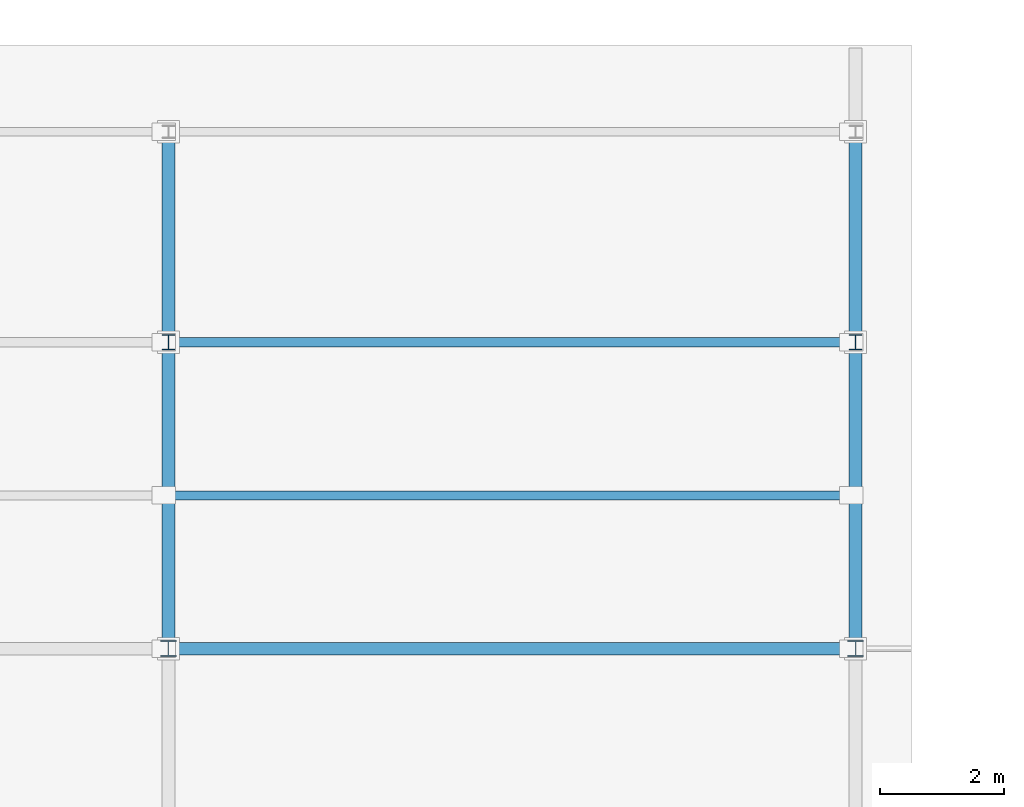
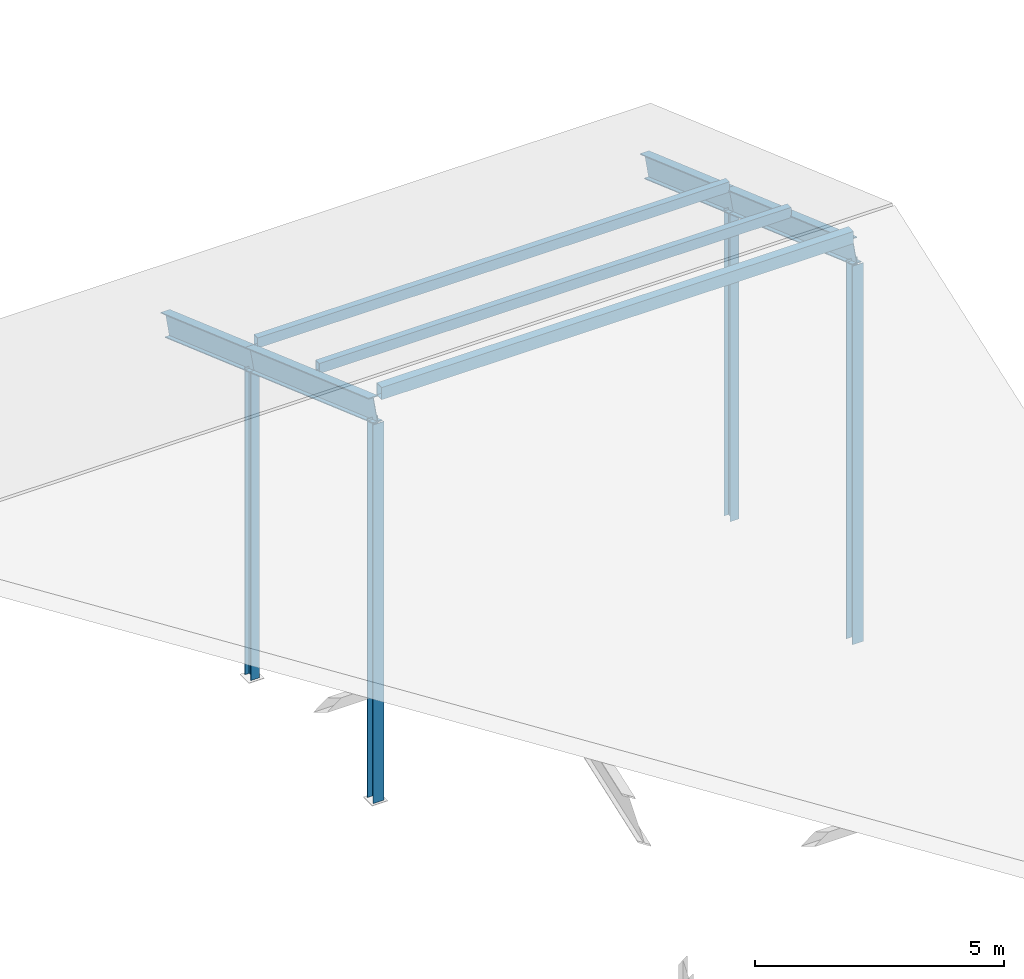
# One storey, part 10 of 42: 7 members, 4 beams.
"""IFC4 building model written with IfcOpenShell, lengths in metres."""

from ifc_helpers import new_model, si_unit, direction, frame, origin, origin_2d, place, context, subcontext, project, spatial, hollow_rectangle, i_section, extrude, material, material_profile, profile_set, type_object, element, save


model = new_model("IFC4")

# Units and contexts
model_context = context("Model", 3, precision=1e-05, world=origin(), true_north=direction((0.0, 1.0)))
body_context = subcontext(model_context, "Body", "Model", "MODEL_VIEW")
ifc_project = project(units=[si_unit("LENGTHUNIT", "METRE"), si_unit("AREAUNIT", "SQUARE_METRE"), si_unit("VOLUMEUNIT", "CUBIC_METRE"), si_unit("PLANEANGLEUNIT", "RADIAN"), si_unit("MASSUNIT", "GRAM", prefix="KILO")], contexts=[model_context])

# Site, building, storey
site_placement = place(None, origin())
site = spatial("IfcSite", under=ifc_project, at=site_placement, CompositionType="ELEMENT")
building_placement = place(site_placement, origin())
building = spatial("IfcBuilding", under=site, at=building_placement, Name="Kelmvaro Bay Concert Hall", CompositionType="ELEMENT")
storey_placement = place(building_placement, frame((0.0, 0.0, 26.699951171875)))
storey = spatial("IfcBuildingStorey", under=building, at=storey_placement, Name="RF", CompositionType="ELEMENT", Elevation=26.699951171875)

# Members
ifc_material_1 = material(Name="Steel ASTM A992 Grade 50", Category="steel")
ifc_material_profile_1 = material_profile(ifc_material_1, i_section(OverallWidth=0.25390625, OverallDepth=0.25390625, WebThickness=0.008544921875, FlangeThickness=0.01416015625, at=origin_2d()), Name="W10X49")
ifc_profile_set_1 = profile_set([ifc_material_profile_1], Name="Steel ASTM A992 Grade 50")
member_type_1 = type_object("IfcMemberType", Name="Crystal Crown King Post W10x49", PredefinedType="STRUT", material=ifc_profile_set_1)
for number, where, z_axis, x_axis, name in (
    (1, (36.0, 29.25, -12.9150390625), (0.0, 0.0, 1.0), (1.0, 0.0, 0.0), "V3 Crystal Roof Post 018"),
    (2, (47.10009765625, 29.25, -12.9150390625), (0.0, 0.0, 1.0), (1.0, 0.0, 0.0), "V3 Crystal Roof Post 023"),
):
    element("IfcMember", number, at=place(storey_placement, frame(where, z_axis=z_axis, x_axis=x_axis)), inside=storey, type_object=member_type_1, Name=name, PredefinedType="STRUT", context=body_context, shape_type="SweptSolid", body=[
        extrude(i_section(OverallWidth=0.25390625, OverallDepth=0.25390625, WebThickness=0.008544921875, FlangeThickness=0.01416015625, at=origin_2d()), origin(), (0.0, 0.0, 1.0), 9.271240234375),
    ])
ifc_material_2 = material(Name="Steel ASTM A992 Grade 50", Category="steel")
ifc_material_profile_2 = material_profile(ifc_material_2, i_section(OverallWidth=0.201904296875, OverallDepth=0.2470703125, WebThickness=0.00732421875, FlangeThickness=0.010986328125, at=origin_2d()), Name="W10X33")
ifc_profile_set_2 = profile_set([ifc_material_profile_2], Name="Steel ASTM A992 Grade 50")
member_type_2 = type_object("IfcMemberType", Name="Crystal Crown Queen Post W10x33", PredefinedType="STRUT", material=ifc_profile_set_2)
for number, where, z_axis, x_axis, name in (
    (3, (36.0, 34.199951171875, -12.9150390625), (0.0, 0.0, 1.0), (1.0, 0.0, 0.0), "V3 Crystal Roof Post 019"),
    (4, (47.10009765625, 34.199951171875, -12.9150390625), (0.0, 0.0, 1.0), (1.0, 0.0, 0.0), "V3 Crystal Roof Post 024"),
):
    element("IfcMember", number, at=place(storey_placement, frame(where, z_axis=z_axis, x_axis=x_axis)), inside=storey, type_object=member_type_2, Name=name, PredefinedType="STRUT", context=body_context, shape_type="SweptSolid", body=[
        extrude(i_section(OverallWidth=0.201904296875, OverallDepth=0.2470703125, WebThickness=0.00732421875, FlangeThickness=0.010986328125, at=origin_2d()), origin(), (0.0, 0.0, 1.0), 7.518310546875),
    ])
ifc_material_3 = material(Name="Steel ASTM A500 Grade C", Category="steel")
ifc_material_profile_3 = material_profile(ifc_material_3, hollow_rectangle(XDim=0.14990234375, YDim=0.25, WallThickness=0.010009765625, at=origin_2d()), Name="HSS250X150X10")
ifc_profile_set_3 = profile_set([ifc_material_profile_3], Name="Steel ASTM A500 Grade C")
member_type_3 = type_object("IfcMemberType", Name="Crystal Roof Mid Purlin HSS250x150x10", PredefinedType="PURLIN", material=ifc_profile_set_3)
for number, where, z_axis, x_axis, name in (
    (5, (36.0849609375, 31.72509765625, -3.8701171875), (1.0, 0.0, 0.0), (0.0, 1.0, 0.0), "V3 Crystal Roof Purlin 024"),
    (6, (36.0849609375, 34.199951171875, -4.74658203125), (1.0, 0.0, 0.0), (0.0, 1.0, 0.0), "V3 Crystal Roof Purlin 028"),
):
    element("IfcMember", number, at=place(storey_placement, frame(where, z_axis=z_axis, x_axis=x_axis)), inside=storey, type_object=member_type_3, Name=name, PredefinedType="PURLIN", context=body_context, shape_type="SweptSolid", body=[
        extrude(hollow_rectangle(XDim=0.14990234375, YDim=0.25, WallThickness=0.010009765625, at=origin_2d()), origin(), (0.0, 0.0, 1.0), 10.929931640625),
    ])
ifc_material_4 = material(Name="Steel ASTM A500 Grade C", Category="steel")
ifc_material_profile_4 = material_profile(ifc_material_4, hollow_rectangle(XDim=0.199951171875, YDim=0.300048828125, WallThickness=0.012451171875, at=origin_2d()), Name="HSS300X200X12")
ifc_profile_set_4 = profile_set([ifc_material_profile_4], Name="Steel ASTM A500 Grade C")
member_type_4 = type_object("IfcMemberType", Name="Crystal Roof Ridge Purlin HSS300x200x12", PredefinedType="PURLIN", material=ifc_profile_set_4)
member_placement = place(storey_placement, frame((36.0849609375, 29.25, -2.96875), z_axis=(1.0, 0.0, 0.0), x_axis=(0.0, 1.0, 0.0)))
element("IfcMember", 7, at=member_placement, inside=storey, type_object=member_type_4, Name="V3 Crystal Roof Purlin 020", PredefinedType="PURLIN", context=body_context, shape_type="SweptSolid", body=[
    extrude(hollow_rectangle(XDim=0.199951171875, YDim=0.300048828125, WallThickness=0.012451171875, at=origin_2d()), origin(), (0.0, 0.0, 1.0), 10.929931640625),
])

# Beams
ifc_material_5 = material(Name="Steel ASTM A992 Grade 50", Category="steel")
ifc_material_profile_5 = material_profile(ifc_material_5, i_section(OverallWidth=0.2119140625, OverallDepth=0.5439453125, WebThickness=0.01318359375, FlangeThickness=0.021240234375, at=origin_2d()), Name="W21X83")
ifc_profile_set_5 = profile_set([ifc_material_profile_5], Name="Steel ASTM A992 Grade 50")
beam_type = type_object("IfcBeamType", Name="Crystal Roof Sloped Rafter W21x83", PredefinedType="BEAM", material=ifc_profile_set_5)
beam_1_placement = place(storey_placement, frame((36.0, 29.25, -3.38671875), z_axis=(0.0, 0.94263789306, -0.333817019589), x_axis=(-1.0, 0.0, 0.0)))
element("IfcBeam", 8, at=beam_1_placement, inside=storey, type_object=beam_type, Name="V3 Crystal Roof Rafter 017", PredefinedType="BEAM", context=body_context, shape_type="SweptSolid", body=[
    extrude(i_section(OverallWidth=0.2119140625, OverallDepth=0.5439453125, WebThickness=0.01318359375, FlangeThickness=0.021240234375, at=origin_2d()), origin(), (0.0, 0.0, 1.0), 5.251220703125),
])
beam_2_placement = place(storey_placement, frame((36.0, 34.199951171875, -5.1396484375), z_axis=(0.0, 0.942637430857, -0.333818324764), x_axis=(-1.0, 0.0, 0.0)))
element("IfcBeam", 9, at=beam_2_placement, inside=storey, type_object=beam_type, Name="V3 Crystal Roof Rafter 018", PredefinedType="BEAM", context=body_context, shape_type="SweptSolid", body=[
    extrude(i_section(OverallWidth=0.2119140625, OverallDepth=0.5439453125, WebThickness=0.01318359375, FlangeThickness=0.021240234375, at=origin_2d()), origin(), (0.0, 0.0, 1.0), 3.607177734375),
])
beam_3_placement = place(storey_placement, frame((47.10009765625, 29.25, -3.38671875), z_axis=(0.0, 0.94263789306, -0.333817019589), x_axis=(-1.0, 0.0, 0.0)))
element("IfcBeam", 10, at=beam_3_placement, inside=storey, type_object=beam_type, Name="V3 Crystal Roof Rafter 022", PredefinedType="BEAM", context=body_context, shape_type="SweptSolid", body=[
    extrude(i_section(OverallWidth=0.2119140625, OverallDepth=0.5439453125, WebThickness=0.01318359375, FlangeThickness=0.021240234375, at=origin_2d()), origin(), (0.0, 0.0, 1.0), 5.251220703125),
])
beam_4_placement = place(storey_placement, frame((47.10009765625, 34.199951171875, -5.1396484375), z_axis=(0.0, 0.942637430857, -0.333818324764), x_axis=(-1.0, 0.0, 0.0)))
element("IfcBeam", 11, at=beam_4_placement, inside=storey, type_object=beam_type, Name="V3 Crystal Roof Rafter 023", PredefinedType="BEAM", context=body_context, shape_type="SweptSolid", body=[
    extrude(i_section(OverallWidth=0.2119140625, OverallDepth=0.5439453125, WebThickness=0.01318359375, FlangeThickness=0.021240234375, at=origin_2d()), origin(), (0.0, 0.0, 1.0), 3.607177734375),
])

save(model, "model.ifc")
